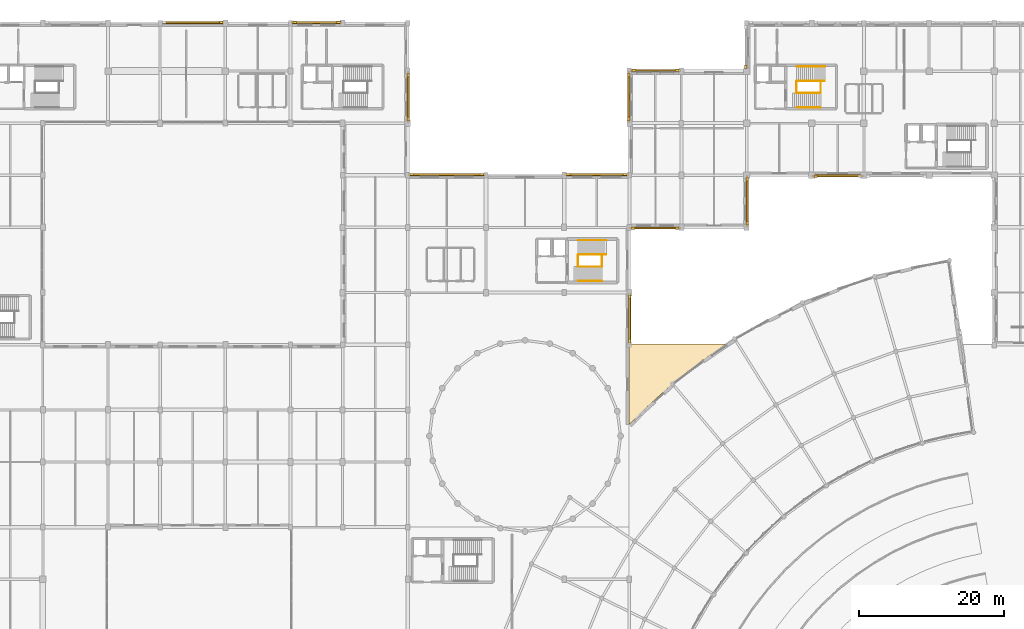
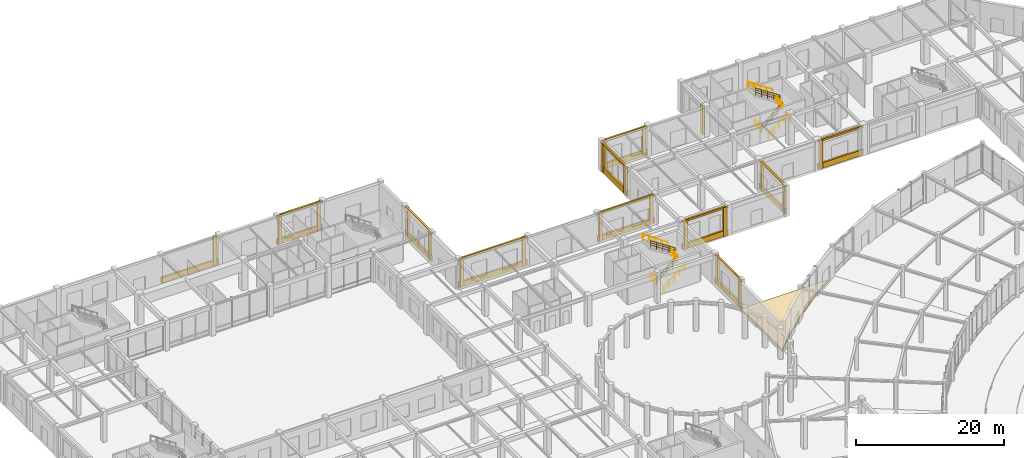
# One storey, part 62 of 64: 43 coverings, 12 railings.
"""IFC4 building model written with IfcOpenShell, lengths in metres."""

import ifcopenshell
import ifcopenshell.guid

model = None  # the IFC model being written
_history = None  # IfcOwnerHistory: only IFC2X3 demands one
_inside = {}  # id of a spatial element -> (the spatial element, [elements in it])
_under = {}  # id of a project, library or spatial element -> (it, [spatial elements below it])
_declared = {}  # id of a project -> (the project, [libraries it declares])
_typed = {}  # id of a type object -> (the type object, [elements of that type])
_made_of = {}  # id of a material, layer set ... -> (it, [elements and type objects made of it])


def new_model(schema):
    """Start an empty IFC model of exactly this schema.

    Asked for "IFC4X3", IfcOpenShell would pick the latest addendum, in which some entities
    have other attributes; the version numbers below select the first issue.
    IFC2X3 requires an IfcOwnerHistory on every rooted entity: one is made here for all.
    """
    global model, _history
    if schema == "IFC4X3":
        model = ifcopenshell.file(schema_version=(4, 3, 0, 0))
    else:
        model = ifcopenshell.file(schema=schema)
    _inside.clear()
    _under.clear()
    _declared.clear()
    _typed.clear()
    _made_of.clear()
    _history = None
    if model.schema == "IFC2X3":
        org = make("IfcOrganization", Name="unknown")
        user = make(
            "IfcPersonAndOrganization",
            ThePerson=make("IfcPerson", FamilyName="unknown"),
            TheOrganization=org,
        )
        app = make(
            "IfcApplication",
            ApplicationDeveloper=org,
            Version="unknown",
            ApplicationFullName="unknown",
            ApplicationIdentifier="unknown",
        )
        _history = make(
            "IfcOwnerHistory",
            OwningUser=user,
            OwningApplication=app,
            ChangeAction="ADDED",
            CreationDate=0,
        )
    return model


def make(cls, **values):
    """One entity of the class cls with the attributes given. An attribute that is None is left unset."""
    return model.create_entity(
        cls, **{name: value for name, value in values.items() if value is not None}
    )


def rooted(cls, **values):
    """An entity with a GlobalId (a new one), such as an element, a storey or a relation."""
    return make(cls, GlobalId=ifcopenshell.guid.new(), OwnerHistory=_history, **values)


def si_unit(unit_type, name, prefix=None):
    """IfcSIUnit, for example si_unit("LENGTHUNIT", "METRE", prefix="MILLI")."""
    return make("IfcSIUnit", UnitType=unit_type, Prefix=prefix, Name=name)


def assignment(units):
    """IfcUnitAssignment: the units of a project."""
    return None if units is None else make("IfcUnitAssignment", Units=units)


def point(xyz):
    """IfcCartesianPoint."""
    return None if xyz is None else make("IfcCartesianPoint", Coordinates=xyz)


def direction(xyz):
    """IfcDirection."""
    return None if xyz is None else make("IfcDirection", DirectionRatios=xyz)


def frame(location, z_axis=None, x_axis=None):
    """IfcAxis2Placement3D, a coordinate frame: its origin and axes. An axis left out is left unset."""
    return make(
        "IfcAxis2Placement3D",
        Location=point(location),
        Axis=direction(z_axis),
        RefDirection=direction(x_axis),
    )


def frame_2d(location, x_axis=None):
    """IfcAxis2Placement2D, a coordinate frame in the plane: its origin and x axis."""
    return make(
        "IfcAxis2Placement2D", Location=point(location), RefDirection=direction(x_axis)
    )


def origin():
    """The frame at (0, 0, 0) with its axes left unset."""
    return frame((0.0, 0.0, 0.0))


def origin_2d():
    """The frame at (0, 0) in the plane with its x axis left unset."""
    return frame_2d((0.0, 0.0))


def place(relative_to, where):
    """IfcLocalPlacement: puts the frame where relative to a parent placement (None: the world)."""
    return make(
        "IfcLocalPlacement", PlacementRelTo=relative_to, RelativePlacement=where
    )


def context(
    kind, dimensions, precision=None, world=None, true_north=None, identifier=None
):
    """IfcGeometricRepresentationContext, for example the 3D "Model" context."""
    return make(
        "IfcGeometricRepresentationContext",
        ContextIdentifier=identifier,
        ContextType=kind,
        CoordinateSpaceDimension=dimensions,
        Precision=precision,
        WorldCoordinateSystem=world,
        TrueNorth=true_north,
    )


def subcontext(parent, identifier, kind, view, scale=None):
    """IfcGeometricRepresentationSubContext, for example "Body" below "Model"."""
    return make(
        "IfcGeometricRepresentationSubContext",
        ContextIdentifier=identifier,
        ContextType=kind,
        ParentContext=parent,
        TargetScale=scale,
        TargetView=view,
    )


def project(units=None, contexts=None):
    """IfcProject with its units and contexts."""
    return rooted(
        "IfcProject",
        Name="project",
        RepresentationContexts=contexts,
        UnitsInContext=assignment(units),
    )


def spatial(cls, under=None, at=None, **own):
    """A site, building, storey or space (cls), placed at a placement, below another one or the project."""
    s = rooted(cls, ObjectPlacement=at, **own)
    if under is not None:
        _under.setdefault(under.id(), (under, []))[1].append(s)
    return s


def polyline(points):
    """IfcPolyline through the points."""
    return make("IfcPolyline", Points=[point(p) for p in points])


def profile(cls, at=None, kind="AREA", **sizes):
    """A parametric profile (cls). Its sizes go by their IFC names, for example OverallWidth=200.0."""
    return make(cls, ProfileType=kind, Position=at, **sizes)


def rectangle(**sizes):
    """IfcRectangleProfileDef."""
    return profile("IfcRectangleProfileDef", **sizes)


def circle(**sizes):
    """IfcCircleProfileDef."""
    return profile("IfcCircleProfileDef", **sizes)


def outline(outer, holes=None, kind="AREA"):
    """IfcArbitraryClosedProfileDef: a profile drawn as a closed curve; with holes, ...WithVoids."""
    if holes is None:
        return make("IfcArbitraryClosedProfileDef", ProfileType=kind, OuterCurve=outer)
    return make(
        "IfcArbitraryProfileDefWithVoids",
        ProfileType=kind,
        OuterCurve=outer,
        InnerCurves=holes,
    )


def extrude(swept, where, along, depth):
    """IfcExtrudedAreaSolid: the profile swept, set in the frame where, extruded along a direction by depth."""
    return make(
        "IfcExtrudedAreaSolid",
        SweptArea=swept,
        Position=where,
        ExtrudedDirection=direction(along),
        Depth=depth,
    )


def shape(context_of_items, identifier, shape_type, items):
    """IfcShapeRepresentation: the items that make up one representation, for example the "Body"."""
    return make(
        "IfcShapeRepresentation",
        ContextOfItems=context_of_items,
        RepresentationIdentifier=identifier,
        RepresentationType=shape_type,
        Items=items,
    )


def material(Name=None, Category=None):
    """IfcMaterial."""
    return make("IfcMaterial", Name=Name, Category=Category)


def layer(
    of_material, thickness, ventilated=None, Name=None, Category=None, Priority=None
):
    """IfcMaterialLayer: one layer of a wall or slab, of a material (None: an air gap)."""
    return make(
        "IfcMaterialLayer",
        Material=of_material,
        LayerThickness=thickness,
        IsVentilated=ventilated,
        Name=Name,
        Category=Category,
        Priority=Priority,
    )


def layer_set(layers, Name=None):
    """IfcMaterialLayerSet."""
    return make("IfcMaterialLayerSet", MaterialLayers=layers, LayerSetName=Name)


def made_of(thing, what):
    """Note that an element or type object is made of a material, layer set ...; save() writes the relation."""
    if what is not None:
        _made_of.setdefault(what.id(), (what, []))[1].append(thing)
    return thing


def type_object(cls, material=None, **own):
    """A type object (cls), such as IfcWallType, which elements share."""
    return made_of(rooted(cls, **own), material)


def element(
    cls,
    number,
    at=None,
    inside=None,
    cuts=None,
    type_object=None,
    material=None,
    context=None,
    identifier="Body",
    shape_type=None,
    held_by="IfcProductDefinitionShape",
    body=None,
    shapes=None,
    **own,
):
    """One element of the class cls, such as IfcWall. Its Tag is "e" and its number.

    at: its placement. inside: the storey or other place that contains it. cuts: it is an
    opening in that element (IfcRelVoidsElement). A single representation is given by context,
    identifier, shape_type and body (its items); several are given by shapes. held_by: the class
    of the entity that holds the representations. save() writes the other relations.
    """
    e = rooted(cls, Tag="e%d" % number, ObjectPlacement=at, **own)
    if body is not None:
        shapes = [shape(context, identifier, shape_type, body)]
    if shapes is not None:
        e.Representation = make(held_by, Representations=shapes)
    if inside is not None:
        _inside.setdefault(inside.id(), (inside, []))[1].append(e)
    if cuts is not None:
        rooted(
            "IfcRelVoidsElement", RelatingBuildingElement=cuts, RelatedOpeningElement=e
        )
    if type_object is not None:
        _typed.setdefault(type_object.id(), (type_object, []))[1].append(e)
    return made_of(e, material)


def aggregate(whole, parts):
    """IfcRelAggregates: a whole, such as a stair, and the parts it consists of."""
    return rooted("IfcRelAggregates", RelatingObject=whole, RelatedObjects=parts)


def save(model, path):
    """Write the relations noted so far, then the file.

    IfcRelAggregates (storeys below a building ...), IfcRelContainedInSpatialStructure (elements
    in a storey), IfcRelDefinesByType, IfcRelAssociatesMaterial and IfcRelDeclares: one each for
    every whole, place, type object, material and project.
    """
    for whole, parts in _under.values():
        aggregate(whole, parts)
    for where, things in _inside.values():
        rooted(
            "IfcRelContainedInSpatialStructure",
            RelatedElements=things,
            RelatingStructure=where,
        )
    for kind, things in _typed.values():
        rooted("IfcRelDefinesByType", RelatedObjects=things, RelatingType=kind)
    for what, things in _made_of.values():
        rooted("IfcRelAssociatesMaterial", RelatedObjects=things, RelatingMaterial=what)
    for by, libraries in _declared.values():
        rooted("IfcRelDeclares", RelatingContext=by, RelatedDefinitions=libraries)
    model.write(path)


model = new_model("IFC4")

# Units and contexts
model_context = context("Model", 3, precision=1e-05, world=origin(), true_north=direction((0.0, 1.0)))
body_context = subcontext(model_context, "Body", "Model", "MODEL_VIEW")
ifc_project = project(units=[si_unit("LENGTHUNIT", "METRE"), si_unit("AREAUNIT", "SQUARE_METRE"), si_unit("VOLUMEUNIT", "CUBIC_METRE"), si_unit("PLANEANGLEUNIT", "RADIAN"), si_unit("MASSUNIT", "GRAM", prefix="KILO")], contexts=[model_context])

# Site, building, storey
site_placement = place(None, origin())
site = spatial("IfcSite", under=ifc_project, at=site_placement, CompositionType="ELEMENT")
building_placement = place(site_placement, origin())
building = spatial("IfcBuilding", under=site, at=building_placement, Name="Clarverna Civic Hall", CompositionType="ELEMENT")
storey_placement = place(building_placement, origin())
storey = spatial("IfcBuildingStorey", under=building, at=storey_placement, Name="L00", CompositionType="ELEMENT", Elevation=0.0)

# Coverings
ifc_material_1 = material(Name="Montjuic Buff Limestone Ashlar Cladding", Category="masonry")
ifc_layer_1 = layer(ifc_material_1, 0.070068359375)
ifc_layer_set_1 = layer_set([ifc_layer_1], Name="Montjuic Buff Limestone Ashlar Cladding")
covering_type_1 = type_object("IfcCoveringType", Name="CV-CL2", PredefinedType="CLADDING", material=ifc_layer_set_1)
covering_1_placement = place(storey_placement, frame((32.4599609375, 116.080078125, 0.0), z_axis=(0.0, 0.0, 1.0), x_axis=(1.0, 0.0, 0.0)))
element("IfcCovering", 1, at=covering_1_placement, inside=storey, type_object=covering_type_1, Name="CV-CL2-042", PredefinedType="CLADDING", context=body_context, shape_type="SweptSolid", body=[
    extrude(rectangle(XDim=8.880126953125, YDim=0.260009765625, at=frame_2d((4.43994140625, 0.0))), origin(), (0.0, 0.0, 1.0), 0.919921875),
])
covering_2_placement = place(storey_placement, frame((40.580078125, 116.110107421875, 0.0), z_axis=(0.0, 0.0, 1.0), x_axis=(1.0, 0.0, 0.0)))
element("IfcCovering", 2, at=covering_2_placement, inside=storey, type_object=covering_type_1, Name="CV-CL2-044", PredefinedType="CLADDING", context=body_context, shape_type="SweptSolid", body=[
    extrude(rectangle(XDim=0.5, YDim=0.340087890625, at=frame_2d((0.25, 0.0))), origin(), (0.0, 0.0, 1.0), 4.820068359375),
])
covering_3_placement = place(storey_placement, frame((50.4599609375, 116.080078125, 4.5400390625), z_axis=(0.0, 0.0, 1.0), x_axis=(1.0, 0.0, 0.0)))
element("IfcCovering", 3, at=covering_3_placement, inside=storey, type_object=covering_type_1, Name="CV-CL2-045", PredefinedType="CLADDING", context=body_context, shape_type="SweptSolid", body=[
    extrude(rectangle(XDim=7.080078125, YDim=0.280029296875, at=frame_2d((3.5400390625, 0.0))), origin(), (0.0, 0.0, 1.0), 0.300048828125),
])
covering_4_placement = place(storey_placement, frame((50.4599609375, 116.080078125, 0.0), z_axis=(0.0, 0.0, 1.0), x_axis=(1.0, 0.0, 0.0)))
element("IfcCovering", 4, at=covering_4_placement, inside=storey, type_object=covering_type_1, Name="CV-CL2-046", PredefinedType="CLADDING", context=body_context, shape_type="SweptSolid", body=[
    extrude(rectangle(XDim=7.080078125, YDim=0.260009765625, at=frame_2d((3.5400390625, 0.0))), origin(), (0.0, 0.0, 1.0), 0.919921875),
])
for number, where, z_axis, x_axis, name in (
    (5, (50.719970703125, 116.110107421875, 0.0), (0.0, 0.0, 1.0), (1.0, 0.0, 0.0), "CV-CL2-047"),
    (6, (56.780029296875, 116.110107421875, 0.0), (0.0, 0.0, 1.0), (1.0, 0.0, 0.0), "CV-CL2-048"),
):
    element("IfcCovering", number, at=place(storey_placement, frame(where, z_axis=z_axis, x_axis=x_axis)), inside=storey, type_object=covering_type_1, Name=name, PredefinedType="CLADDING", context=body_context, shape_type="SweptSolid", body=[
        extrude(rectangle(XDim=0.5, YDim=0.340087890625, at=frame_2d((0.25, 0.0))), origin(), (0.0, 0.0, 1.0), 4.820068359375),
    ])
covering_5_placement = place(storey_placement, frame((66.655029296875, 109.340087890625, 4.5400390625), z_axis=(0.0, 0.0, 1.0), x_axis=(0.0, -1.0, 0.0)))
element("IfcCovering", 7, at=covering_5_placement, inside=storey, type_object=covering_type_1, Name="CV-CL2-049", PredefinedType="CLADDING", context=body_context, shape_type="SweptSolid", body=[
    extrude(rectangle(XDim=7.080078125, YDim=0.280029296875, at=frame_2d((3.5400390625, 0.0))), origin(), (0.0, 0.0, 1.0), 0.300048828125),
])
covering_6_placement = place(storey_placement, frame((66.655029296875, 109.340087890625, 0.0), z_axis=(0.0, 0.0, 1.0), x_axis=(0.0, -1.0, 0.0)))
element("IfcCovering", 8, at=covering_6_placement, inside=storey, type_object=covering_type_1, Name="CV-CL2-050", PredefinedType="CLADDING", context=body_context, shape_type="SweptSolid", body=[
    extrude(rectangle(XDim=7.080078125, YDim=0.260009765625, at=frame_2d((3.5400390625, 0.0))), origin(), (0.0, 0.0, 1.0), 0.919921875),
])
for number, where, z_axis, x_axis, name in (
    (9, (66.68505859375, 109.080078125, 0.0), (0.0, 0.0, 1.0), (0.0, -1.0, 0.0), "CV-CL2-051"),
    (10, (66.68505859375, 103.02001953125, 0.0), (0.0, 0.0, 1.0), (0.0, -1.0, 0.0), "CV-CL2-052"),
):
    element("IfcCovering", number, at=place(storey_placement, frame(where, z_axis=z_axis, x_axis=x_axis)), inside=storey, type_object=covering_type_1, Name=name, PredefinedType="CLADDING", context=body_context, shape_type="SweptSolid", body=[
        extrude(rectangle(XDim=0.5, YDim=0.340087890625, at=frame_2d((0.25, 0.0))), origin(), (0.0, 0.0, 1.0), 4.820068359375),
    ])
covering_7_placement = place(storey_placement, frame((66.635009765625, 95.080078125, 4.5), z_axis=(0.0, 0.0, 1.0), x_axis=(1.0, 0.0, 0.0)))
element("IfcCovering", 11, at=covering_7_placement, inside=storey, type_object=covering_type_1, Name="CV-CL2-053", PredefinedType="CLADDING", context=body_context, shape_type="SweptSolid", body=[
    extrude(rectangle(XDim=10.705078125, YDim=0.280029296875, at=frame_2d((5.3525390625, 0.0))), origin(), (0.0, 0.0, 1.0), 0.300048828125),
])
covering_8_placement = place(storey_placement, frame((66.635009765625, 95.080078125, 0.0), z_axis=(0.0, 0.0, 1.0), x_axis=(1.0, 0.0, 0.0)))
element("IfcCovering", 12, at=covering_8_placement, inside=storey, type_object=covering_type_1, Name="CV-CL2-054", PredefinedType="CLADDING", context=body_context, shape_type="SweptSolid", body=[
    extrude(rectangle(XDim=10.705078125, YDim=0.260009765625, at=frame_2d((5.3525390625, 0.0))), origin(), (0.0, 0.0, 1.0), 0.919921875),
])
for number, where, z_axis, x_axis, name in (
    (13, (66.89501953125, 95.110107421875, 0.0), (0.0, 0.0, 1.0), (1.0, 0.0, 0.0), "CV-CL2-055"),
    (14, (76.580078125, 95.110107421875, 0.0), (0.0, 0.0, 1.0), (1.0, 0.0, 0.0), "CV-CL2-056"),
):
    element("IfcCovering", number, at=place(storey_placement, frame(where, z_axis=z_axis, x_axis=x_axis)), inside=storey, type_object=covering_type_1, Name=name, PredefinedType="CLADDING", context=body_context, shape_type="SweptSolid", body=[
        extrude(rectangle(XDim=0.5, YDim=0.340087890625, at=frame_2d((0.25, 0.0))), origin(), (0.0, 0.0, 1.0), 4.780029296875),
    ])
covering_9_placement = place(storey_placement, frame((88.260009765625, 95.080078125, 4.5), z_axis=(0.0, 0.0, 1.0), x_axis=(1.0, 0.0, 0.0)))
element("IfcCovering", 15, at=covering_9_placement, inside=storey, type_object=covering_type_1, Name="CV-CL2-057", PredefinedType="CLADDING", context=body_context, shape_type="SweptSolid", body=[
    extrude(rectangle(XDim=8.905029296875, YDim=0.280029296875, at=frame_2d((4.45263671875, 0.0))), origin(), (0.0, 0.0, 1.0), 0.300048828125),
])
covering_10_placement = place(storey_placement, frame((88.260009765625, 95.080078125, 0.0), z_axis=(0.0, 0.0, 1.0), x_axis=(1.0, 0.0, 0.0)))
element("IfcCovering", 16, at=covering_10_placement, inside=storey, type_object=covering_type_1, Name="CV-CL2-058", PredefinedType="CLADDING", context=body_context, shape_type="SweptSolid", body=[
    extrude(rectangle(XDim=8.905029296875, YDim=0.260009765625, at=frame_2d((4.45263671875, 0.0))), origin(), (0.0, 0.0, 1.0), 0.919921875),
])
for number, where, z_axis, x_axis, name in (
    (17, (88.52001953125, 95.110107421875, 0.0), (0.0, 0.0, 1.0), (1.0, 0.0, 0.0), "CV-CL2-059"),
    (18, (96.405029296875, 95.110107421875, 0.0), (0.0, 0.0, 1.0), (1.0, 0.0, 0.0), "CV-CL2-060"),
):
    element("IfcCovering", number, at=place(storey_placement, frame(where, z_axis=z_axis, x_axis=x_axis)), inside=storey, type_object=covering_type_1, Name=name, PredefinedType="CLADDING", context=body_context, shape_type="SweptSolid", body=[
        extrude(rectangle(XDim=0.5, YDim=0.340087890625, at=frame_2d((0.25, 0.0))), origin(), (0.0, 0.0, 1.0), 4.780029296875),
    ])
covering_11_placement = place(storey_placement, frame((97.14501953125, 102.260009765625, 4.5), z_axis=(0.0, 0.0, 1.0), x_axis=(0.0, 1.0, 0.0)))
element("IfcCovering", 19, at=covering_11_placement, inside=storey, type_object=covering_type_1, Name="CV-CL2-061", PredefinedType="CLADDING", context=body_context, shape_type="SweptSolid", body=[
    extrude(rectangle(XDim=7.080078125, YDim=0.280029296875, at=frame_2d((3.5400390625, 0.0))), origin(), (0.0, 0.0, 1.0), 0.300048828125),
])
covering_12_placement = place(storey_placement, frame((97.14501953125, 102.260009765625, 0.0), z_axis=(0.0, 0.0, 1.0), x_axis=(0.0, 1.0, 0.0)))
element("IfcCovering", 20, at=covering_12_placement, inside=storey, type_object=covering_type_1, Name="CV-CL2-062", PredefinedType="CLADDING", context=body_context, shape_type="SweptSolid", body=[
    extrude(rectangle(XDim=7.080078125, YDim=0.260009765625, at=frame_2d((3.5400390625, 0.0))), origin(), (0.0, 0.0, 1.0), 0.919921875),
])
for number, where, z_axis, x_axis, name in (
    (21, (97.114990234375, 102.52001953125, 0.0), (0.0, 0.0, 1.0), (0.0, 1.0, 0.0), "CV-CL2-063"),
    (22, (97.114990234375, 108.580078125, 0.0), (0.0, 0.0, 1.0), (0.0, 1.0, 0.0), "CV-CL2-064"),
):
    element("IfcCovering", number, at=place(storey_placement, frame(where, z_axis=z_axis, x_axis=x_axis)), inside=storey, type_object=covering_type_1, Name=name, PredefinedType="CLADDING", context=body_context, shape_type="SweptSolid", body=[
        extrude(rectangle(XDim=0.5, YDim=0.340087890625, at=frame_2d((0.25, 0.0))), origin(), (0.0, 0.0, 1.0), 4.780029296875),
    ])
covering_13_placement = place(storey_placement, frame((97.284912109375, 109.47998046875, 4.5), z_axis=(0.0, 0.0, 1.0), x_axis=(1.0, 0.0, 0.0)))
element("IfcCovering", 23, at=covering_13_placement, inside=storey, type_object=covering_type_1, Name="CV-CL2-065", PredefinedType="CLADDING", context=body_context, shape_type="SweptSolid", body=[
    extrude(rectangle(XDim=7.05517578125, YDim=0.280029296875, at=frame_2d((3.527587890625, 0.0))), origin(), (0.0, 0.0, 1.0), 0.300048828125),
])
covering_14_placement = place(storey_placement, frame((97.284912109375, 109.47998046875, 0.0), z_axis=(0.0, 0.0, 1.0), x_axis=(1.0, 0.0, 0.0)))
element("IfcCovering", 24, at=covering_14_placement, inside=storey, type_object=covering_type_1, Name="CV-CL2-066", PredefinedType="CLADDING", context=body_context, shape_type="SweptSolid", body=[
    extrude(rectangle(XDim=7.05517578125, YDim=0.260009765625, at=frame_2d((3.527587890625, 0.0))), origin(), (0.0, 0.0, 1.0), 0.919921875),
])
for number, where, z_axis, x_axis, name in (
    (25, (97.544921875, 109.510009765625, 0.0), (0.0, 0.0, 1.0), (1.0, 0.0, 0.0), "CV-CL2-067"),
    (26, (103.580078125, 109.510009765625, 0.0), (0.0, 0.0, 1.0), (1.0, 0.0, 0.0), "CV-CL2-068"),
    (27, (113.2900390625, 109.719970703125, 0.0), (0.0, 0.0, 1.0), (0.0, 1.0, 0.0), "CV-CL2-071"),
):
    element("IfcCovering", number, at=place(storey_placement, frame(where, z_axis=z_axis, x_axis=x_axis)), inside=storey, type_object=covering_type_1, Name=name, PredefinedType="CLADDING", context=body_context, shape_type="SweptSolid", body=[
        extrude(rectangle(XDim=0.5, YDim=0.340087890625, at=frame_2d((0.25, 0.0))), origin(), (0.0, 0.0, 1.0), 4.780029296875),
    ])
covering_15_placement = place(storey_placement, frame((129.5400390625, 94.919921875, 4.5), z_axis=(0.0, 0.0, 1.0), x_axis=(-1.0, 0.0, 0.0)))
element("IfcCovering", 28, at=covering_15_placement, inside=storey, type_object=covering_type_1, Name="CV-CL2-121", PredefinedType="CLADDING", context=body_context, shape_type="SweptSolid", body=[
    extrude(rectangle(XDim=7.080078125, YDim=0.280029296875, at=frame_2d((3.5400390625, 0.0))), origin(), (0.0, 0.0, 1.0), 0.300048828125),
])
covering_16_placement = place(storey_placement, frame((129.5400390625, 94.919921875, 0.0), z_axis=(0.0, 0.0, 1.0), x_axis=(-1.0, 0.0, 0.0)))
element("IfcCovering", 29, at=covering_16_placement, inside=storey, type_object=covering_type_1, Name="CV-CL2-122", PredefinedType="CLADDING", context=body_context, shape_type="SweptSolid", body=[
    extrude(rectangle(XDim=7.080078125, YDim=0.260009765625, at=frame_2d((3.5400390625, 0.0))), origin(), (0.0, 0.0, 1.0), 0.919921875),
])
covering_17_placement = place(storey_placement, frame((123.219970703125, 94.889892578125, 0.0), z_axis=(0.0, 0.0, 1.0), x_axis=(-1.0, 0.0, 0.0)))
element("IfcCovering", 30, at=covering_17_placement, inside=storey, type_object=covering_type_1, Name="CV-CL2-124", PredefinedType="CLADDING", context=body_context, shape_type="SweptSolid", body=[
    extrude(rectangle(XDim=0.5, YDim=0.340087890625, at=frame_2d((0.25, 0.0))), origin(), (0.0, 0.0, 1.0), 4.780029296875),
])
covering_18_placement = place(storey_placement, frame((113.47998046875, 94.93994140625, 4.5), z_axis=(0.0, 0.0, 1.0), x_axis=(0.0, -1.0, 0.0)))
element("IfcCovering", 31, at=covering_18_placement, inside=storey, type_object=covering_type_1, Name="CV-CL2-125", PredefinedType="CLADDING", context=body_context, shape_type="SweptSolid", body=[
    extrude(rectangle(XDim=7.079833984375, YDim=0.280029296875, at=frame_2d((3.5400390625, 0.0))), origin(), (0.0, 0.0, 1.0), 0.300048828125),
])
covering_19_placement = place(storey_placement, frame((113.47998046875, 94.93994140625, 0.0), z_axis=(0.0, 0.0, 1.0), x_axis=(0.0, -1.0, 0.0)))
element("IfcCovering", 32, at=covering_19_placement, inside=storey, type_object=covering_type_1, Name="CV-CL2-126", PredefinedType="CLADDING", context=body_context, shape_type="SweptSolid", body=[
    extrude(rectangle(XDim=7.079833984375, YDim=0.260009765625, at=frame_2d((3.5400390625, 0.0))), origin(), (0.0, 0.0, 1.0), 0.919921875),
])
for number, where, z_axis, x_axis, name in (
    (33, (113.510009765625, 94.679931640625, 0.0), (0.0, 0.0, 1.0), (0.0, -1.0, 0.0), "CV-CL2-127"),
    (34, (113.510009765625, 88.6201171875, 0.0), (0.0, 0.0, 1.0), (0.0, -1.0, 0.0), "CV-CL2-128"),
):
    element("IfcCovering", number, at=place(storey_placement, frame(where, z_axis=z_axis, x_axis=x_axis)), inside=storey, type_object=covering_type_1, Name=name, PredefinedType="CLADDING", context=body_context, shape_type="SweptSolid", body=[
        extrude(rectangle(XDim=0.5, YDim=0.340087890625, at=frame_2d((0.25, 0.0))), origin(), (0.0, 0.0, 1.0), 4.780029296875),
    ])
covering_20_placement = place(storey_placement, frame((104.340087890625, 87.719970703125, 4.5), z_axis=(0.0, 0.0, 1.0), x_axis=(-1.0, 0.0, 0.0)))
element("IfcCovering", 35, at=covering_20_placement, inside=storey, type_object=covering_type_1, Name="CV-CL2-129", PredefinedType="CLADDING", context=body_context, shape_type="SweptSolid", body=[
    extrude(rectangle(XDim=7.10498046875, YDim=0.280029296875, at=frame_2d((3.552490234375, 0.0))), origin(), (0.0, 0.0, 1.0), 0.300048828125),
])
covering_21_placement = place(storey_placement, frame((104.340087890625, 87.719970703125, 0.0), z_axis=(0.0, 0.0, 1.0), x_axis=(-1.0, 0.0, 0.0)))
element("IfcCovering", 36, at=covering_21_placement, inside=storey, type_object=covering_type_1, Name="CV-CL2-130", PredefinedType="CLADDING", context=body_context, shape_type="SweptSolid", body=[
    extrude(rectangle(XDim=7.10498046875, YDim=0.260009765625, at=frame_2d((3.552490234375, 0.0))), origin(), (0.0, 0.0, 1.0), 0.919921875),
])
for number, where, z_axis, x_axis, name in (
    (37, (104.080078125, 87.68994140625, 0.0), (0.0, 0.0, 1.0), (-1.0, 0.0, 0.0), "CV-CL2-131"),
    (38, (97.9951171875, 87.68994140625, 0.0), (0.0, 0.0, 1.0), (-1.0, 0.0, 0.0), "CV-CL2-132"),
):
    element("IfcCovering", number, at=place(storey_placement, frame(where, z_axis=z_axis, x_axis=x_axis)), inside=storey, type_object=covering_type_1, Name=name, PredefinedType="CLADDING", context=body_context, shape_type="SweptSolid", body=[
        extrude(rectangle(XDim=0.5, YDim=0.340087890625, at=frame_2d((0.25, 0.0))), origin(), (0.0, 0.0, 1.0), 4.780029296875),
    ])
covering_22_placement = place(storey_placement, frame((97.2548828125, 78.739990234375, 4.5), z_axis=(0.0, 0.0, 1.0), x_axis=(0.0, -1.0, 0.0)))
element("IfcCovering", 39, at=covering_22_placement, inside=storey, type_object=covering_type_1, Name="CV-CL2-133", PredefinedType="CLADDING", context=body_context, shape_type="SweptSolid", body=[
    extrude(rectangle(XDim=7.080078125, YDim=0.280029296875, at=frame_2d((3.5400390625, 0.0))), origin(), (0.0, 0.0, 1.0), 0.300048828125),
])
covering_23_placement = place(storey_placement, frame((97.2548828125, 78.739990234375, 0.0), z_axis=(0.0, 0.0, 1.0), x_axis=(0.0, -1.0, 0.0)))
element("IfcCovering", 40, at=covering_23_placement, inside=storey, type_object=covering_type_1, Name="CV-CL2-134", PredefinedType="CLADDING", context=body_context, shape_type="SweptSolid", body=[
    extrude(rectangle(XDim=7.080078125, YDim=0.260009765625, at=frame_2d((3.5400390625, 0.0))), origin(), (0.0, 0.0, 1.0), 0.919921875),
])
for number, where, z_axis, x_axis, name in (
    (41, (97.284912109375, 78.47998046875, 0.0), (0.0, 0.0, 1.0), (0.0, -1.0, 0.0), "CV-CL2-135"),
    (42, (97.284912109375, 72.419921875, 0.0), (0.0, 0.0, 1.0), (0.0, -1.0, 0.0), "CV-CL2-136"),
):
    element("IfcCovering", number, at=place(storey_placement, frame(where, z_axis=z_axis, x_axis=x_axis)), inside=storey, type_object=covering_type_1, Name=name, PredefinedType="CLADDING", context=body_context, shape_type="SweptSolid", body=[
        extrude(rectangle(XDim=0.5, YDim=0.340087890625, at=frame_2d((0.25, 0.0))), origin(), (0.0, 0.0, 1.0), 4.780029296875),
    ])
ifc_material_2 = material(Name="Planted Civic Terrace Vegetated Substrate and Drainage Build-Up")
ifc_layer_2 = layer(ifc_material_2, 0.25)
ifc_layer_set_2 = layer_set([ifc_layer_2], Name="Planted Civic Terrace Vegetated Substrate and Drainage Build-Up")
covering_type_2 = type_object("IfcCoveringType", Name="CV-RF1", PredefinedType="ROOFING", material=ifc_layer_set_2)
covering_24_placement = place(storey_placement, frame((0.0, 0.0, -0.320068359375)))
element("IfcCovering", 43, at=covering_24_placement, inside=storey, type_object=covering_type_2, Name="CV-RF1-002", PredefinedType="ROOFING", context=body_context, shape_type="SweptSolid", body=[
    extrude(outline(polyline([(110.68310546875, 71.699951171875), (107.351806640625, 69.452880859375), (103.173828125, 66.188720703125), (99.23388671875, 62.64111328125), (97.144287109375, 60.541015625), (97.135009765625, 71.699951171875), (110.68310546875, 71.699951171875)])), origin(), (0.0, 0.0, 1.0), 0.380126953125),
])

# Railings
ifc_material_3 = material(Name="Anodised Bronze Architectural Balustrade")
railing_type_1 = type_object("IfcRailingType", Name="GR-02", PredefinedType="BALUSTRADE", material=ifc_material_3)
railing_1_placement = place(storey_placement, frame((90.14990234375, 82.360107421875, 0.0)))
element("IfcRailing", 44, at=railing_1_placement, inside=storey, type_object=railing_type_1, Name="GR-02-071", PredefinedType="BALUSTRADE", context=body_context, shape_type="SweptSolid", body=[
    extrude(circle(Radius=0.02392578125, at=origin_2d()), frame((0.0, 0.0, 1.09619140625), z_axis=(0.789942972042, 0.0, 0.613180316809), x_axis=(0.0, 1.0, 0.0)), (0.0, 0.0, 1.0), 4.15869140625),
    extrude(circle(Radius=0.011962890625, at=origin_2d()), frame((0.0, 0.0, 0.39208984375), z_axis=(0.789942972042, 0.0, 0.613180316809), x_axis=(0.0, 1.0, 0.0)), (0.0, 0.0, 1.0), 4.15869140625),
    extrude(circle(Radius=0.011962890625, at=origin_2d()), frame((0.0, 0.0, 0.76171875), z_axis=(0.789942972042, 0.0, 0.613180316809), x_axis=(0.0, 1.0, 0.0)), (0.0, 0.0, 1.0), 4.15869140625),
    extrude(circle(Radius=0.02099609375, at=origin_2d()), origin(), (0.0, 0.0, 1.0), 1.072021484375),
    extrude(circle(Radius=0.02099609375, at=origin_2d()), frame((0.8212890625, 0.0, 0.637451171875)), (0.0, 0.0, 1.0), 1.072021484375),
    extrude(circle(Radius=0.02099609375, at=origin_2d()), frame((1.642578125, 0.0, 1.27490234375)), (0.0, 0.0, 1.0), 1.072021484375),
    extrude(circle(Radius=0.02099609375, at=origin_2d()), frame((2.4638671875, 0.0, 1.91259765625)), (0.0, 0.0, 1.0), 1.072021484375),
    extrude(circle(Radius=0.02099609375, at=origin_2d()), frame((3.28515625, 0.0, 2.550048828125)), (0.0, 0.0, 1.0), 1.072021484375),
])
railing_2_placement = place(storey_placement, frame((93.43505859375, 82.360107421875, 2.550048828125)))
element("IfcRailing", 45, at=railing_2_placement, inside=storey, type_object=railing_type_1, Name="GR-02-072", PredefinedType="BALUSTRADE", context=body_context, shape_type="SweptSolid", body=[
    extrude(circle(Radius=0.02392578125, at=origin_2d()), frame((0.0, 0.0, 1.09619140625), z_axis=(0.0, 1.0, 0.0), x_axis=(-1.0, 0.0, 0.0)), (0.0, 0.0, 1.0), 1.679931640625),
    extrude(circle(Radius=0.011962890625, at=origin_2d()), frame((0.0, 0.0, 0.39208984375), z_axis=(0.0, 1.0, 0.0), x_axis=(-1.0, 0.0, 0.0)), (0.0, 0.0, 1.0), 1.679931640625),
    extrude(circle(Radius=0.011962890625, at=origin_2d()), frame((0.0, 0.0, 0.76171875), z_axis=(0.0, 1.0, 0.0), x_axis=(-1.0, 0.0, 0.0)), (0.0, 0.0, 1.0), 1.679931640625),
    extrude(circle(Radius=0.02099609375, at=origin_2d()), origin(), (0.0, 0.0, 1.0), 1.072021484375),
    extrude(circle(Radius=0.02099609375, at=origin_2d()), frame((0.0, 0.83984375, 0.0)), (0.0, 0.0, 1.0), 1.072021484375),
    extrude(circle(Radius=0.02099609375, at=origin_2d()), frame((0.0, 1.679931640625, 0.0)), (0.0, 0.0, 1.0), 1.072021484375),
])
railing_3_placement = place(storey_placement, frame((94.0048828125, 84.0400390625, 2.550048828125)))
element("IfcRailing", 46, at=railing_3_placement, inside=storey, type_object=railing_type_1, Name="GR-02-073", PredefinedType="BALUSTRADE", context=body_context, shape_type="SweptSolid", body=[
    extrude(circle(Radius=0.02392578125, at=origin_2d()), frame((0.0, 0.0, 1.09619140625), z_axis=(-0.834035861889, 0.0, 0.551710232896), x_axis=(0.0, -1.0, 0.0)), (0.0, 0.0, 1.0), 4.6220703125),
    extrude(circle(Radius=0.011962890625, at=origin_2d()), frame((0.0, 0.0, 0.39208984375), z_axis=(-0.834035861889, 0.0, 0.551710232896), x_axis=(0.0, -1.0, 0.0)), (0.0, 0.0, 1.0), 4.6220703125),
    extrude(circle(Radius=0.011962890625, at=origin_2d()), frame((0.0, 0.0, 0.76171875), z_axis=(-0.834035861889, 0.0, 0.551710232896), x_axis=(0.0, -1.0, 0.0)), (0.0, 0.0, 1.0), 4.6220703125),
    extrude(circle(Radius=0.02099609375, at=origin_2d()), origin(), (0.0, 0.0, 1.0), 1.072021484375),
    extrude(circle(Radius=0.02099609375, at=origin_2d()), frame((-0.9638671875, 0.0, 0.637451171875)), (0.0, 0.0, 1.0), 1.072021484375),
    extrude(circle(Radius=0.02099609375, at=origin_2d()), frame((-1.927490234375, 0.0, 1.27490234375)), (0.0, 0.0, 1.0), 1.072021484375),
    extrude(circle(Radius=0.02099609375, at=origin_2d()), frame((-2.89111328125, 0.0, 1.91259765625)), (0.0, 0.0, 1.0), 1.072021484375),
    extrude(circle(Radius=0.02099609375, at=origin_2d()), frame((-3.85498046875, 0.0, 2.550048828125)), (0.0, 0.0, 1.0), 1.072021484375),
])
railing_4_placement = place(storey_placement, frame((90.110107421875, 82.39990234375, 0.0)))
element("IfcRailing", 47, at=railing_4_placement, inside=storey, type_object=railing_type_1, Name="GR-02-074", PredefinedType="BALUSTRADE", context=body_context, shape_type="SweptSolid", body=[
    extrude(circle(Radius=0.02392578125, at=origin_2d()), frame((0.0, 0.0, 1.09619140625), z_axis=(0.0, 1.0, 0.0), x_axis=(-1.0, 0.0, 0.0)), (0.0, 0.0, 1.0), 1.56005859375),
    extrude(circle(Radius=0.011962890625, at=origin_2d()), frame((0.0, 0.0, 0.39208984375), z_axis=(0.0, 1.0, 0.0), x_axis=(-1.0, 0.0, 0.0)), (0.0, 0.0, 1.0), 1.56005859375),
    extrude(circle(Radius=0.011962890625, at=origin_2d()), frame((0.0, 0.0, 0.76171875), z_axis=(0.0, 1.0, 0.0), x_axis=(-1.0, 0.0, 0.0)), (0.0, 0.0, 1.0), 1.56005859375),
    extrude(circle(Radius=0.02099609375, at=origin_2d()), origin(), (0.0, 0.0, 1.0), 1.072021484375),
    extrude(circle(Radius=0.02099609375, at=origin_2d()), frame((0.0, 0.780029296875, 0.0)), (0.0, 0.0, 1.0), 1.072021484375),
    extrude(circle(Radius=0.02099609375, at=origin_2d()), frame((0.0, 1.56005859375, 0.0)), (0.0, 0.0, 1.0), 1.072021484375),
])
railing_5_placement = place(storey_placement, frame((120.35009765625, 106.360107421875, 0.0)))
element("IfcRailing", 48, at=railing_5_placement, inside=storey, type_object=railing_type_1, Name="GR-02-155", PredefinedType="BALUSTRADE", context=body_context, shape_type="SweptSolid", body=[
    extrude(circle(Radius=0.02392578125, at=origin_2d()), frame((0.0, 0.0, 1.09619140625), z_axis=(0.78992089777, 0.0, 0.613208753416), x_axis=(0.0, 1.0, 0.0)), (0.0, 0.0, 1.0), 4.158447265625),
    extrude(circle(Radius=0.011962890625, at=origin_2d()), frame((0.0, 0.0, 0.39208984375), z_axis=(0.78992089777, 0.0, 0.613208753416), x_axis=(0.0, 1.0, 0.0)), (0.0, 0.0, 1.0), 4.158447265625),
    extrude(circle(Radius=0.011962890625, at=origin_2d()), frame((0.0, 0.0, 0.76171875), z_axis=(0.78992089777, 0.0, 0.613208753416), x_axis=(0.0, 1.0, 0.0)), (0.0, 0.0, 1.0), 4.158447265625),
    extrude(circle(Radius=0.02099609375, at=origin_2d()), origin(), (0.0, 0.0, 1.0), 1.072021484375),
    extrude(circle(Radius=0.02099609375, at=origin_2d()), frame((0.8212890625, 0.0, 0.637451171875)), (0.0, 0.0, 1.0), 1.072021484375),
    extrude(circle(Radius=0.02099609375, at=origin_2d()), frame((1.642578125, 0.0, 1.27490234375)), (0.0, 0.0, 1.0), 1.072021484375),
    extrude(circle(Radius=0.02099609375, at=origin_2d()), frame((2.463623046875, 0.0, 1.91259765625)), (0.0, 0.0, 1.0), 1.072021484375),
    extrude(circle(Radius=0.02099609375, at=origin_2d()), frame((3.284912109375, 0.0, 2.550048828125)), (0.0, 0.0, 1.0), 1.072021484375),
])
railing_6_placement = place(storey_placement, frame((123.635009765625, 106.360107421875, 2.550048828125)))
element("IfcRailing", 49, at=railing_6_placement, inside=storey, type_object=railing_type_1, Name="GR-02-156", PredefinedType="BALUSTRADE", context=body_context, shape_type="SweptSolid", body=[
    extrude(circle(Radius=0.02392578125, at=origin_2d()), frame((0.0, 0.0, 1.09619140625), z_axis=(0.0, 1.0, 0.0), x_axis=(-1.0, 0.0, 0.0)), (0.0, 0.0, 1.0), 1.679931640625),
    extrude(circle(Radius=0.011962890625, at=origin_2d()), frame((0.0, 0.0, 0.39208984375), z_axis=(0.0, 1.0, 0.0), x_axis=(-1.0, 0.0, 0.0)), (0.0, 0.0, 1.0), 1.679931640625),
    extrude(circle(Radius=0.011962890625, at=origin_2d()), frame((0.0, 0.0, 0.76171875), z_axis=(0.0, 1.0, 0.0), x_axis=(-1.0, 0.0, 0.0)), (0.0, 0.0, 1.0), 1.679931640625),
    extrude(circle(Radius=0.02099609375, at=origin_2d()), origin(), (0.0, 0.0, 1.0), 1.072021484375),
    extrude(circle(Radius=0.02099609375, at=origin_2d()), frame((0.0, 0.83984375, 0.0)), (0.0, 0.0, 1.0), 1.072021484375),
    extrude(circle(Radius=0.02099609375, at=origin_2d()), frame((0.0, 1.679931640625, 0.0)), (0.0, 0.0, 1.0), 1.072021484375),
])
railing_7_placement = place(storey_placement, frame((124.205078125, 108.0400390625, 2.550048828125)))
element("IfcRailing", 50, at=railing_7_placement, inside=storey, type_object=railing_type_1, Name="GR-02-157", PredefinedType="BALUSTRADE", context=body_context, shape_type="SweptSolid", body=[
    extrude(circle(Radius=0.02392578125, at=origin_2d()), frame((0.0, 0.0, 1.09619140625), z_axis=(-0.834035861889, 0.0, 0.551710232896), x_axis=(0.0, -1.0, 0.0)), (0.0, 0.0, 1.0), 4.6220703125),
    extrude(circle(Radius=0.011962890625, at=origin_2d()), frame((0.0, 0.0, 0.39208984375), z_axis=(-0.834035861889, 0.0, 0.551710232896), x_axis=(0.0, -1.0, 0.0)), (0.0, 0.0, 1.0), 4.6220703125),
    extrude(circle(Radius=0.011962890625, at=origin_2d()), frame((0.0, 0.0, 0.76171875), z_axis=(-0.834035861889, 0.0, 0.551710232896), x_axis=(0.0, -1.0, 0.0)), (0.0, 0.0, 1.0), 4.6220703125),
    extrude(circle(Radius=0.02099609375, at=origin_2d()), origin(), (0.0, 0.0, 1.0), 1.072021484375),
    extrude(circle(Radius=0.02099609375, at=origin_2d()), frame((-0.9638671875, 0.0, 0.637451171875)), (0.0, 0.0, 1.0), 1.072021484375),
    extrude(circle(Radius=0.02099609375, at=origin_2d()), frame((-1.927490234375, 0.0, 1.27490234375)), (0.0, 0.0, 1.0), 1.072021484375),
    extrude(circle(Radius=0.02099609375, at=origin_2d()), frame((-2.89111328125, 0.0, 1.91259765625)), (0.0, 0.0, 1.0), 1.072021484375),
    extrude(circle(Radius=0.02099609375, at=origin_2d()), frame((-3.85498046875, 0.0, 2.550048828125)), (0.0, 0.0, 1.0), 1.072021484375),
])
railing_8_placement = place(storey_placement, frame((120.31005859375, 106.39990234375, 0.0)))
element("IfcRailing", 51, at=railing_8_placement, inside=storey, type_object=railing_type_1, Name="GR-02-158", PredefinedType="BALUSTRADE", context=body_context, shape_type="SweptSolid", body=[
    extrude(circle(Radius=0.02392578125, at=origin_2d()), frame((0.0, 0.0, 1.09619140625), z_axis=(0.0, 1.0, 0.0), x_axis=(-1.0, 0.0, 0.0)), (0.0, 0.0, 1.0), 1.60009765625),
    extrude(circle(Radius=0.011962890625, at=origin_2d()), frame((0.0, 0.0, 0.39208984375), z_axis=(0.0, 1.0, 0.0), x_axis=(-1.0, 0.0, 0.0)), (0.0, 0.0, 1.0), 1.60009765625),
    extrude(circle(Radius=0.011962890625, at=origin_2d()), frame((0.0, 0.0, 0.76171875), z_axis=(0.0, 1.0, 0.0), x_axis=(-1.0, 0.0, 0.0)), (0.0, 0.0, 1.0), 1.60009765625),
    extrude(circle(Radius=0.02099609375, at=origin_2d()), origin(), (0.0, 0.0, 1.0), 1.072021484375),
    extrude(circle(Radius=0.02099609375, at=origin_2d()), frame((0.0, 0.800048828125, 0.0)), (0.0, 0.0, 1.0), 1.072021484375),
    extrude(circle(Radius=0.02099609375, at=origin_2d()), frame((0.0, 1.60009765625, 0.0)), (0.0, 0.0, 1.0), 1.072021484375),
])
ifc_material_4 = material(Name="Anodised Bronze Continuous Handrail")
railing_type_2 = type_object("IfcRailingType", Name="HR-01", PredefinedType="HANDRAIL", material=ifc_material_4)
railing_9_placement = place(storey_placement, frame((90.14990234375, 80.3798828125, 0.0)))
element("IfcRailing", 52, at=railing_9_placement, inside=storey, type_object=railing_type_2, Name="HR-01-035", PredefinedType="HANDRAIL", context=body_context, shape_type="SweptSolid", body=[
    extrude(circle(Radius=0.02392578125, at=origin_2d()), frame((0.0, 0.0, 0.89599609375), z_axis=(0.788568541041, 0.0, 0.614946872568), x_axis=(0.0, 1.0, 0.0)), (0.0, 0.0, 1.0), 4.146728515625),
    extrude(circle(Radius=0.02099609375, at=origin_2d()), origin(), (0.0, 0.0, 1.0), 0.871826171875),
    extrude(circle(Radius=0.02099609375, at=origin_2d()), frame((0.8173828125, 0.0, 0.637451171875)), (0.0, 0.0, 1.0), 0.871826171875),
    extrude(circle(Radius=0.02099609375, at=origin_2d()), frame((1.635009765625, 0.0, 1.27490234375)), (0.0, 0.0, 1.0), 0.871826171875),
    extrude(circle(Radius=0.02099609375, at=origin_2d()), frame((2.45263671875, 0.0, 1.91259765625)), (0.0, 0.0, 1.0), 0.871826171875),
    extrude(circle(Radius=0.02099609375, at=origin_2d()), frame((3.27001953125, 0.0, 2.550048828125)), (0.0, 0.0, 1.0), 0.871826171875),
])
railing_10_placement = place(storey_placement, frame((94.02001953125, 86.02001953125, 2.550048828125)))
element("IfcRailing", 53, at=railing_10_placement, inside=storey, type_object=railing_type_2, Name="HR-01-036", PredefinedType="HANDRAIL", context=body_context, shape_type="SweptSolid", body=[
    extrude(circle(Radius=0.02392578125, at=origin_2d()), frame((0.0, 0.0, 0.89599609375), z_axis=(-0.83502861022, 0.0, 0.550206524965), x_axis=(0.0, -1.0, 0.0)), (0.0, 0.0, 1.0), 4.634765625),
    extrude(circle(Radius=0.02099609375, at=origin_2d()), origin(), (0.0, 0.0, 1.0), 0.871826171875),
    extrude(circle(Radius=0.02099609375, at=origin_2d()), frame((-0.967529296875, 0.0, 0.637451171875)), (0.0, 0.0, 1.0), 0.871826171875),
    extrude(circle(Radius=0.02099609375, at=origin_2d()), frame((-1.93505859375, 0.0, 1.27490234375)), (0.0, 0.0, 1.0), 0.871826171875),
    extrude(circle(Radius=0.02099609375, at=origin_2d()), frame((-2.902587890625, 0.0, 1.91259765625)), (0.0, 0.0, 1.0), 0.871826171875),
    extrude(circle(Radius=0.02099609375, at=origin_2d()), frame((-3.8701171875, 0.0, 2.550048828125)), (0.0, 0.0, 1.0), 0.871826171875),
])
railing_11_placement = place(storey_placement, frame((120.35009765625, 104.3798828125, 0.0)))
element("IfcRailing", 54, at=railing_11_placement, inside=storey, type_object=railing_type_2, Name="HR-01-077", PredefinedType="HANDRAIL", context=body_context, shape_type="SweptSolid", body=[
    extrude(circle(Radius=0.02392578125, at=origin_2d()), frame((0.0, 0.0, 0.89599609375), z_axis=(0.788568541041, 0.0, 0.614946872568), x_axis=(0.0, 1.0, 0.0)), (0.0, 0.0, 1.0), 4.146728515625),
    extrude(circle(Radius=0.02099609375, at=origin_2d()), origin(), (0.0, 0.0, 1.0), 0.871826171875),
    extrude(circle(Radius=0.02099609375, at=origin_2d()), frame((0.8173828125, 0.0, 0.637451171875)), (0.0, 0.0, 1.0), 0.871826171875),
    extrude(circle(Radius=0.02099609375, at=origin_2d()), frame((1.635009765625, 0.0, 1.27490234375)), (0.0, 0.0, 1.0), 0.871826171875),
    extrude(circle(Radius=0.02099609375, at=origin_2d()), frame((2.45263671875, 0.0, 1.91259765625)), (0.0, 0.0, 1.0), 0.871826171875),
    extrude(circle(Radius=0.02099609375, at=origin_2d()), frame((3.27001953125, 0.0, 2.550048828125)), (0.0, 0.0, 1.0), 0.871826171875),
])
railing_12_placement = place(storey_placement, frame((124.219970703125, 110.02001953125, 2.550048828125)))
element("IfcRailing", 55, at=railing_12_placement, inside=storey, type_object=railing_type_2, Name="HR-01-078", PredefinedType="HANDRAIL", context=body_context, shape_type="SweptSolid", body=[
    extrude(circle(Radius=0.02392578125, at=origin_2d()), frame((0.0, 0.0, 0.89599609375), z_axis=(-0.835012662543, 0.0, 0.550230727416), x_axis=(0.0, -1.0, 0.0)), (0.0, 0.0, 1.0), 4.634521484375),
    extrude(circle(Radius=0.02099609375, at=origin_2d()), origin(), (0.0, 0.0, 1.0), 0.871826171875),
    extrude(circle(Radius=0.02099609375, at=origin_2d()), frame((-0.967529296875, 0.0, 0.637451171875)), (0.0, 0.0, 1.0), 0.871826171875),
    extrude(circle(Radius=0.02099609375, at=origin_2d()), frame((-1.93505859375, 0.0, 1.27490234375)), (0.0, 0.0, 1.0), 0.871826171875),
    extrude(circle(Radius=0.02099609375, at=origin_2d()), frame((-2.90234375, 0.0, 1.91259765625)), (0.0, 0.0, 1.0), 0.871826171875),
    extrude(circle(Radius=0.02099609375, at=origin_2d()), frame((-3.869873046875, 0.0, 2.550048828125)), (0.0, 0.0, 1.0), 0.871826171875),
])

save(model, "model.ifc")
